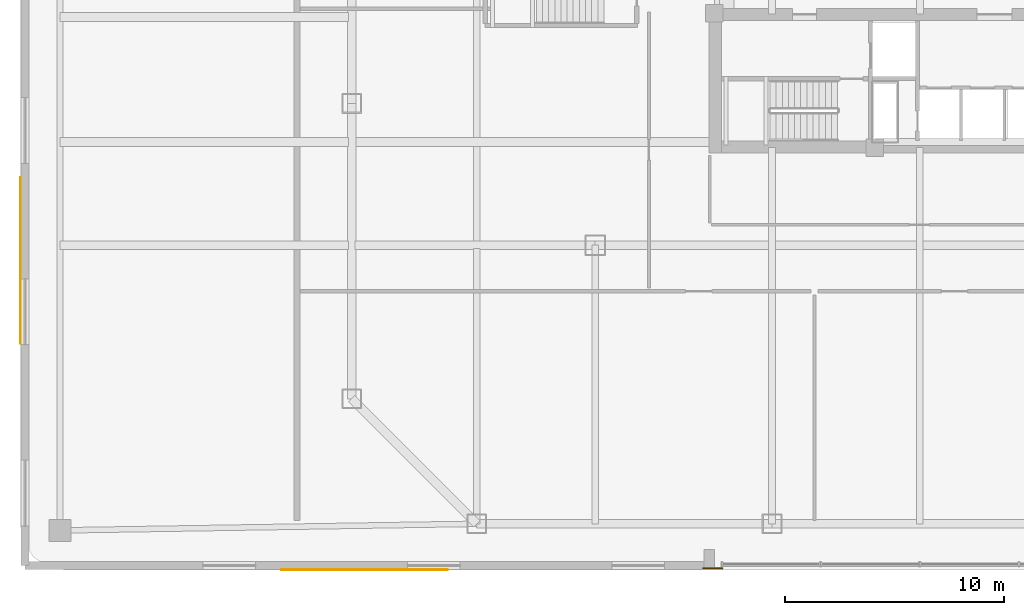
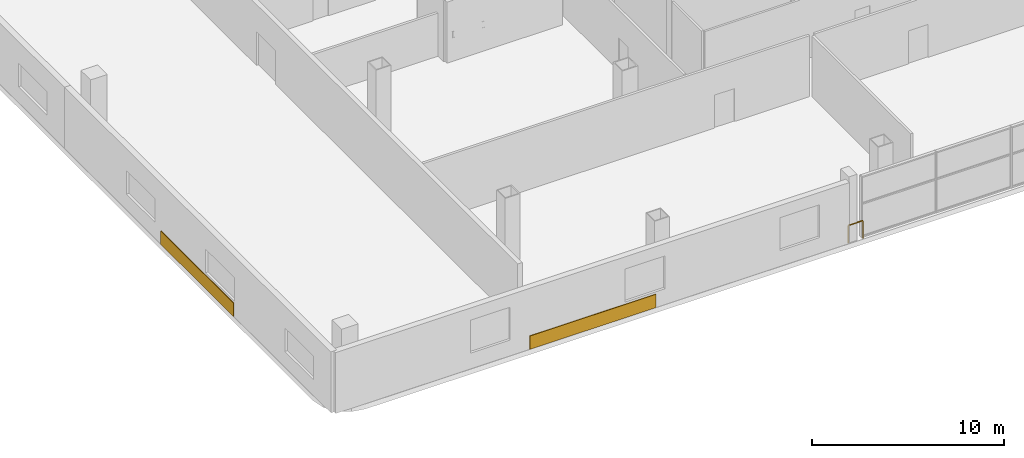
# One storey, part 16 of 21: 2 coverings, 1 railing.
"""IFC4 building model written with IfcOpenShell, lengths in metres."""

from ifc_helpers import new_model, si_unit, direction, frame, origin, origin_2d, place, context, subcontext, project, spatial, rectangle, extrude, material, layer, layer_set, type_object, element, save


model = new_model("IFC4")

# Units and contexts
model_context = context("Model", 3, precision=1e-05, world=origin(), true_north=direction((0.0, 1.0)))
body_context = subcontext(model_context, "Body", "Model", "MODEL_VIEW")
ifc_project = project(units=[si_unit("LENGTHUNIT", "METRE"), si_unit("AREAUNIT", "SQUARE_METRE"), si_unit("VOLUMEUNIT", "CUBIC_METRE"), si_unit("PLANEANGLEUNIT", "RADIAN"), si_unit("MASSUNIT", "GRAM", prefix="KILO")], contexts=[model_context])

# Site, building, storey
site_placement = place(None, origin())
site = spatial("IfcSite", under=ifc_project, at=site_placement, CompositionType="ELEMENT")
building_placement = place(site_placement, origin())
building = spatial("IfcBuilding", under=site, at=building_placement, Name="Qhalaya Broadcast Tower", CompositionType="ELEMENT")
storey_placement = place(building_placement, frame((0.0, 0.0, 13.5)))
storey = spatial("IfcBuildingStorey", under=building, at=storey_placement, Name="L03", CompositionType="ELEMENT", Elevation=13.5)

# Coverings
ifc_material_1 = material(Name="Fired Architectural Terracotta", Category="masonry")
ifc_layer = layer(ifc_material_1, 0.044921875, Name="Fired Architectural Terracotta")
ifc_layer_set = layer_set([ifc_layer], Name="Fired Architectural Terracotta")
covering_type = type_object("IfcCoveringType", Name="Polychrome Terracotta Rainscreen Cladding CLD-01", PredefinedType="CLADDING", material=ifc_layer_set)
for number, where, z_axis, x_axis, name in (
    (1, (-25.320068359375, -28.0, 0.02490234375), (0.0, 0.0, 1.0), (-1.0, 0.0, 0.0), "L03 Terracotta Spandrel Cladding EW-SW"),
    (2, (-41.0, -13.89990234375, 0.02490234375), (0.0, 0.0, 1.0), (0.0, 1.0, 0.0), "L03 Terracotta Spandrel Cladding EW-WS"),
):
    element("IfcCovering", number, at=place(storey_placement, frame(where, z_axis=z_axis, x_axis=x_axis)), inside=storey, type_object=covering_type, Name=name, PredefinedType="CLADDING", context=body_context, shape_type="SweptSolid", body=[
        extrude(rectangle(XDim=7.60009765625, YDim=0.044921875, at=origin_2d()), origin(), (0.0, 0.0, 1.0), 0.85009765625),
    ])

# Railing
ifc_material_2 = material(Name="Powder-Coated Galvanised Steel", Category="steel")
railing_type = type_object("IfcRailingType", Name="Terrace, Sky-Pool & Lookout Glass Balustrade 1150", PredefinedType="BALUSTRADE", material=ifc_material_2)
railing_placement = place(storey_placement, frame((-9.8798828125, -27.919921875, 0.0)))
element("IfcRailing", 3, at=railing_placement, inside=storey, type_object=railing_type, Name="L03 Concourse Portal Shoulder Safety Balustrade PSW", PredefinedType="BALUSTRADE", context=body_context, shape_type="SweptSolid", body=[
    extrude(rectangle(XDim=0.048095703125, YDim=0.048095703125, at=origin_2d()), frame((0.0, 0.0, 1.1259765625), z_axis=(1.0, 0.0, 0.0), x_axis=(0.0, 1.0, 0.0)), (0.0, 0.0, 1.0), 0.8798828125),
    extrude(rectangle(XDim=0.0419921875, YDim=0.0419921875, at=origin_2d()), origin(), (0.0, 0.0, 1.0), 1.099853515625),
    extrude(rectangle(XDim=0.0419921875, YDim=0.0419921875, at=origin_2d()), frame((0.8798828125, 0.0, 0.0)), (0.0, 0.0, 1.0), 1.099853515625),
])

save(model, "model.ifc")
